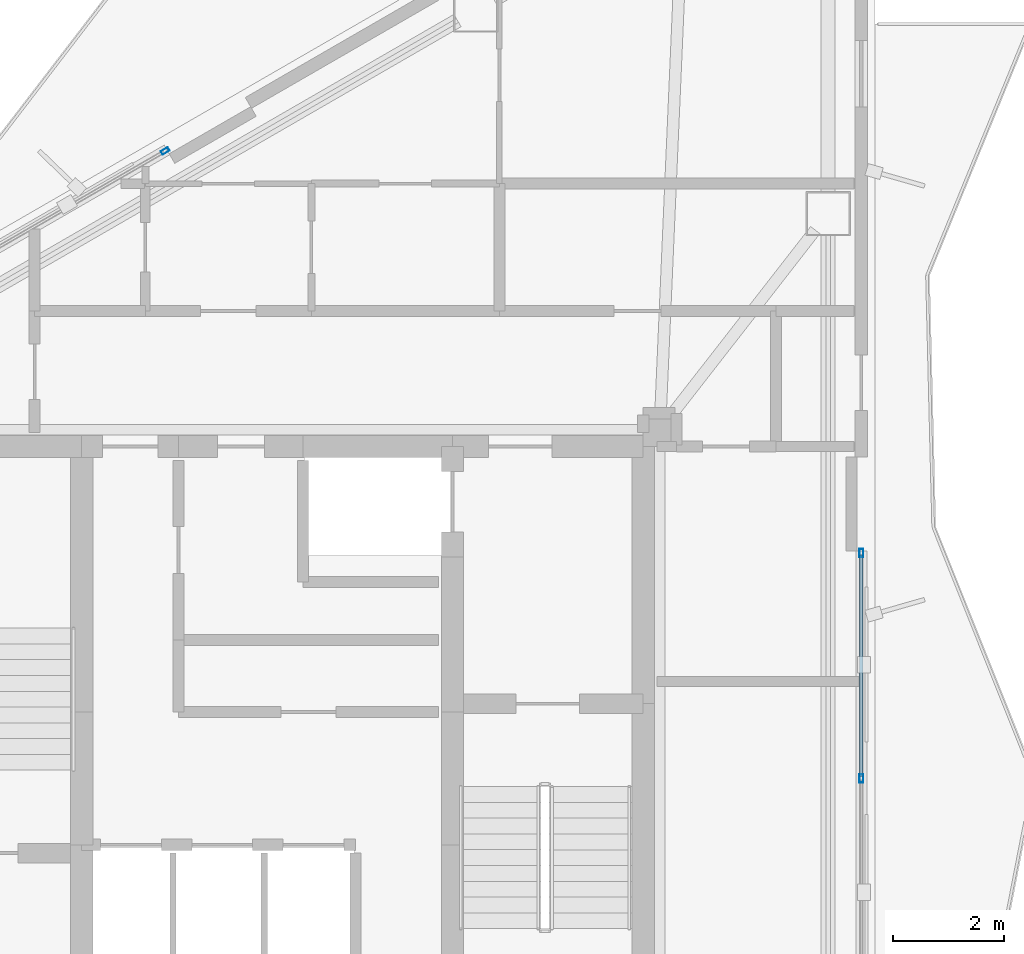
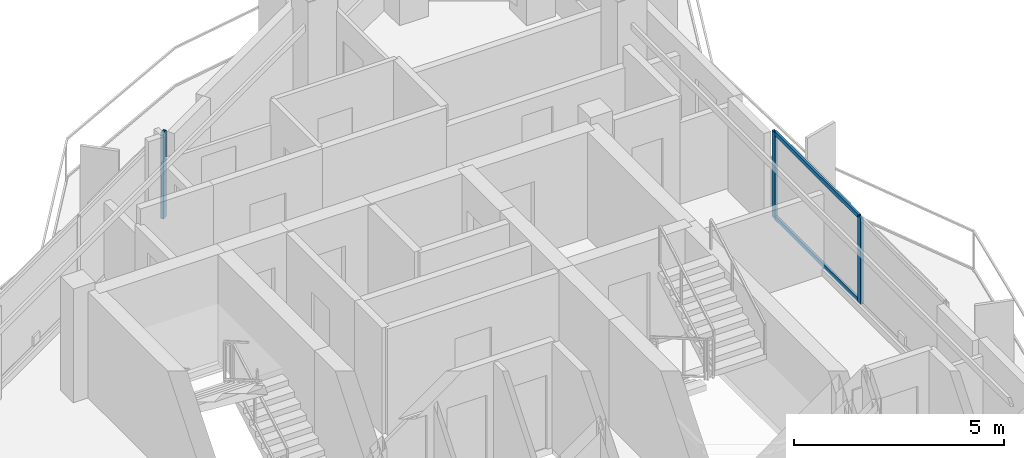
# One storey, part 12 of 18: 5 members, 2 elements without a shape of their own.
"""IFC4 building model written with IfcOpenShell, lengths in metres."""

from ifc_helpers import new_model, si_unit, direction, frame, origin, origin_2d, place, context, subcontext, project, spatial, hollow_rectangle, extrude, material, layer, layer_set, material_profile, profile_set, type_object, element, aggregate, save


model = new_model("IFC4")

# Units and contexts
model_context = context("Model", 3, precision=1e-05, world=origin(), true_north=direction((0.0, 1.0)))
body_context = subcontext(model_context, "Body", "Model", "MODEL_VIEW")
ifc_project = project(units=[si_unit("LENGTHUNIT", "METRE"), si_unit("AREAUNIT", "SQUARE_METRE"), si_unit("VOLUMEUNIT", "CUBIC_METRE"), si_unit("PLANEANGLEUNIT", "RADIAN"), si_unit("MASSUNIT", "GRAM", prefix="KILO")], contexts=[model_context])

# Site, building, storey
site_placement = place(None, origin())
site = spatial("IfcSite", under=ifc_project, at=site_placement, CompositionType="ELEMENT")
building_placement = place(site_placement, origin())
building = spatial("IfcBuilding", under=site, at=building_placement, Name="Mersakhor Tower and Convention Hall", CompositionType="ELEMENT")
storey_placement = place(building_placement, frame((0.0, 0.0, 229.800048828125)))
storey = spatial("IfcBuildingStorey", under=building, at=storey_placement, Name="L64", CompositionType="ELEMENT", Elevation=229.800048828125)

# Curtain wall, member
ifc_material_1 = material(Name="Dark solar low-E aluminium curtain wall", Category="aluminium")
ifc_layer = layer(ifc_material_1, 0.179931640625)
ifc_layer_set = layer_set([ifc_layer], Name="Dark solar low-E aluminium curtain wall")
curtain_wall_type = type_object("IfcCurtainWallType", Name="CW-SYS-03", PredefinedType="USERDEFINED", material=ifc_layer_set)
curtain_wall_1_placement = place(storey_placement, origin())
curtain_wall_1 = element("IfcCurtainWall", 1, at=curtain_wall_1_placement, inside=storey, type_object=curtain_wall_type, Name="L64 Dark-Glass Curtain Wall F1-B2", ObjectType="CURTAIN WALL", PredefinedType="USERDEFINED")
ifc_material_2 = material(Name="Anodised aluminium EN AW-6063 T6", Category="aluminium")
ifc_material_profile_1 = material_profile(ifc_material_2, hollow_rectangle(XDim=0.074951171875, YDim=0.14990234375, WallThickness=0.00634765625, at=origin_2d()), Name="RHS 150x75x6.3")
ifc_profile_set_1 = profile_set([ifc_material_profile_1], Name="Anodised aluminium EN AW-6063 T6")
member_type_1 = type_object("IfcMemberType", Name="CWM-150x75", PredefinedType="MULLION", material=ifc_profile_set_1)
member_1_placement = place(storey_placement, frame((27.158935546875, 38.091796875, 0.199951171875), z_axis=(0.0, 0.0, 1.0), x_axis=(-0.500004411169, 0.86602285698, 0.0)))
member_1 = element("IfcMember", 2, at=member_1_placement, type_object=member_type_1, Name="CW-03 mullion 3", PredefinedType="MULLION", context=body_context, shape_type="SweptSolid", body=[
    extrude(hollow_rectangle(XDim=0.074951171875, YDim=0.14990234375, WallThickness=0.00634765625, at=origin_2d()), origin(), (0.0, 0.0, 1.0), 2.5),
])
aggregate(curtain_wall_1, [member_1])

# Curtain wall, members
curtain_wall_2_placement = place(storey_placement, origin())
curtain_wall_2 = element("IfcCurtainWall", 3, at=curtain_wall_2_placement, inside=storey, type_object=curtain_wall_type, Name="L64 Dark-Glass Curtain Wall F2-B2", ObjectType="CURTAIN WALL", PredefinedType="USERDEFINED")
member_2_placement = place(storey_placement, frame((39.742919921875, 30.826416015625, 0.199951171875), z_axis=(0.0, 0.0, 1.0), x_axis=(1.0, 0.0, 0.0)))
member_2 = element("IfcMember", 4, at=member_2_placement, type_object=member_type_1, Name="CW-03 mullion 1", PredefinedType="MULLION", context=body_context, shape_type="SweptSolid", body=[
    extrude(hollow_rectangle(XDim=0.074951171875, YDim=0.14990234375, WallThickness=0.00634765625, at=origin_2d()), origin(), (0.0, 0.0, 1.0), 2.5),
])
member_3_placement = place(storey_placement, frame((39.742919921875, 26.75, 0.199951171875), z_axis=(0.0, 0.0, 1.0), x_axis=(1.0, 0.0, 0.0)))
member_3 = element("IfcMember", 5, at=member_3_placement, type_object=member_type_1, Name="CW-03 mullion 2", PredefinedType="MULLION", context=body_context, shape_type="SweptSolid", body=[
    extrude(hollow_rectangle(XDim=0.074951171875, YDim=0.14990234375, WallThickness=0.00634765625, at=origin_2d()), origin(), (0.0, 0.0, 1.0), 2.5),
])
ifc_material_3 = material(Name="Anodised aluminium EN AW-6063 T6", Category="aluminium")
ifc_material_profile_2 = material_profile(ifc_material_3, hollow_rectangle(XDim=0.06005859375, YDim=0.1201171875, WallThickness=0.0048828125, at=origin_2d()), Name="RHS 120x60x5")
ifc_profile_set_2 = profile_set([ifc_material_profile_2], Name="Anodised aluminium EN AW-6063 T6")
member_type_2 = type_object("IfcMemberType", Name="CWT-120x60", PredefinedType="USERDEFINED", material=ifc_profile_set_2)
member_4_placement = place(storey_placement, frame((39.742919921875, 30.788818359375, 0.22998046875), z_axis=(0.0, -1.0, 0.0), x_axis=(1.0, 0.0, 0.0)))
member_4 = element("IfcMember", 6, at=member_4_placement, type_object=member_type_2, Name="CW-03 transom 1.1", ObjectType="TRANSOM", PredefinedType="USERDEFINED", context=body_context, shape_type="SweptSolid", body=[
    extrude(hollow_rectangle(XDim=0.06005859375, YDim=0.1201171875, WallThickness=0.0048828125, at=origin_2d()), origin(), (0.0, 0.0, 1.0), 4.001220703125),
])
member_5_placement = place(storey_placement, frame((39.742919921875, 30.788818359375, 2.669921875), z_axis=(0.0, -1.0, 0.0), x_axis=(1.0, 0.0, 0.0)))
member_5 = element("IfcMember", 7, at=member_5_placement, type_object=member_type_2, Name="CW-03 transom 1.2", ObjectType="TRANSOM", PredefinedType="USERDEFINED", context=body_context, shape_type="SweptSolid", body=[
    extrude(hollow_rectangle(XDim=0.06005859375, YDim=0.1201171875, WallThickness=0.0048828125, at=origin_2d()), origin(), (0.0, 0.0, 1.0), 4.001220703125),
])
aggregate(curtain_wall_2, [member_2, member_3, member_4, member_5])

save(model, "model.ifc")
